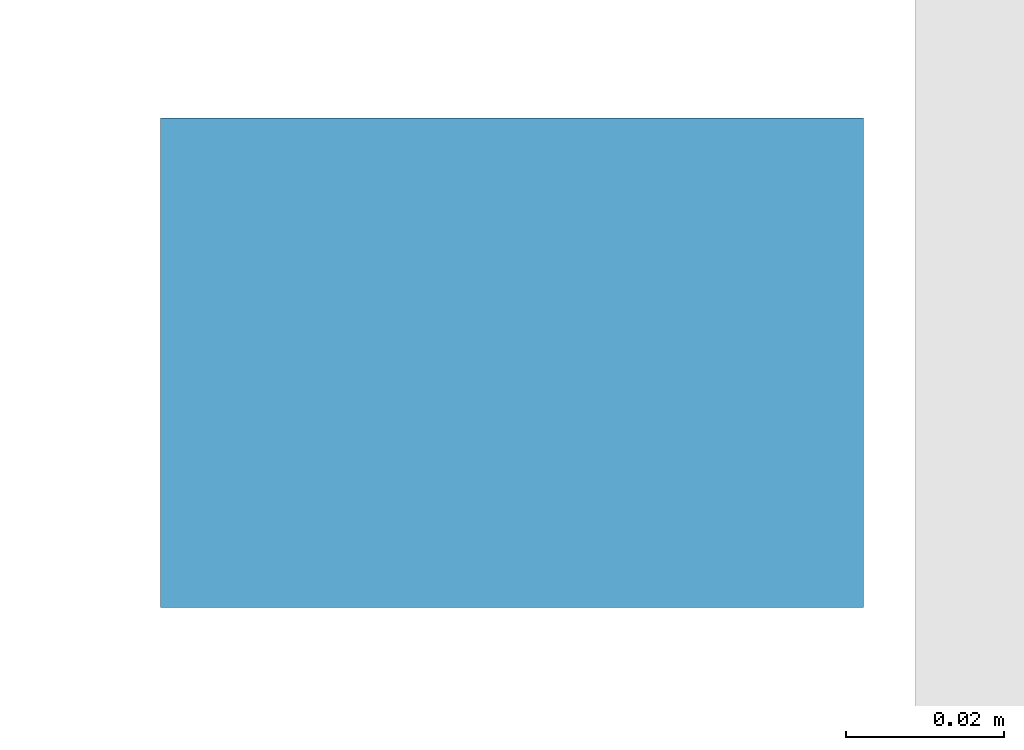
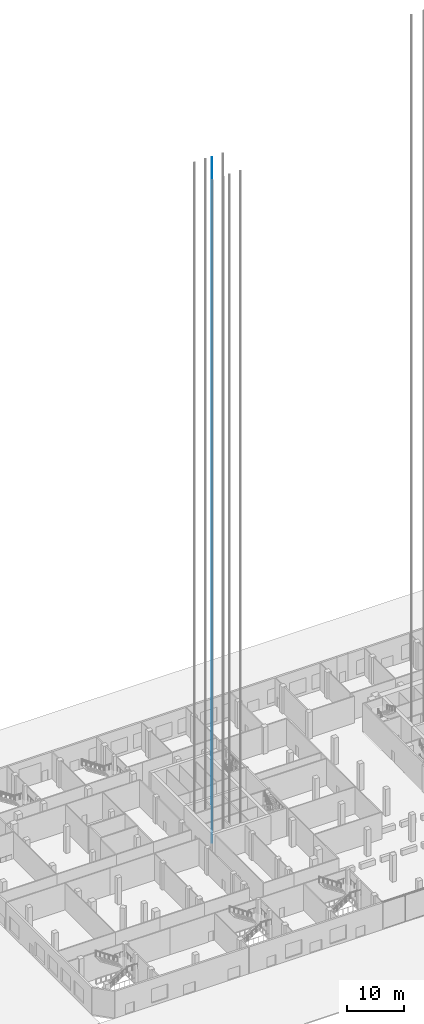
# One storey, part 8 of 55: 1 member.
"""IFC4 building model written with IfcOpenShell, lengths in metres."""

from ifc_helpers import new_model, si_unit, direction, frame, origin, origin_2d, place, context, subcontext, project, spatial, rectangle, extrude, material, material_profile, profile_set, type_object, element, save


model = new_model("IFC4")

# Units and contexts
model_context = context("Model", 3, precision=1e-05, world=origin(), true_north=direction((0.0, 1.0)))
body_context = subcontext(model_context, "Body", "Model", "MODEL_VIEW")
ifc_project = project(units=[si_unit("LENGTHUNIT", "METRE"), si_unit("AREAUNIT", "SQUARE_METRE"), si_unit("VOLUMEUNIT", "CUBIC_METRE"), si_unit("PLANEANGLEUNIT", "RADIAN"), si_unit("MASSUNIT", "GRAM", prefix="KILO")], contexts=[model_context])

# Site, building, storey
site_placement = place(None, origin())
site = spatial("IfcSite", under=ifc_project, at=site_placement, CompositionType="ELEMENT")
building_placement = place(site_placement, origin())
building = spatial("IfcBuilding", under=site, at=building_placement, Name="Cinnabar Reach Civic Tower", CompositionType="ELEMENT")
storey_placement = place(building_placement, origin())
storey = spatial("IfcBuildingStorey", under=building, at=storey_placement, Name="L00", CompositionType="ELEMENT", Elevation=0.0)

# Member
ifc_material = material(Name="Steel Q355B", Category="steel")
ifc_material_profile = material_profile(ifc_material, rectangle(XDim=0.089, YDim=0.062, at=origin_2d()), Name="T89")
ifc_profile_set = profile_set([ifc_material_profile], Name="Steel Q355B")
member_type = type_object("IfcMemberType", Name="Lift guide rail T89", PredefinedType="MEMBER", material=ifc_profile_set)
member_placement = place(storey_placement, frame((-37.851, 28.875, -2.5), z_axis=(0.0, 0.0, 1.0), x_axis=(1.0, 0.0, 0.0)))
element("IfcMember", 1, at=member_placement, inside=storey, type_object=member_type, Name="Lift guide rail 1", PredefinedType="MEMBER", context=body_context, shape_type="SweptSolid", body=[
    extrude(rectangle(XDim=0.089, YDim=0.062, at=origin_2d()), origin(), (0.0, 0.0, 1.0), 146.05),
])

save(model, "model.ifc")
